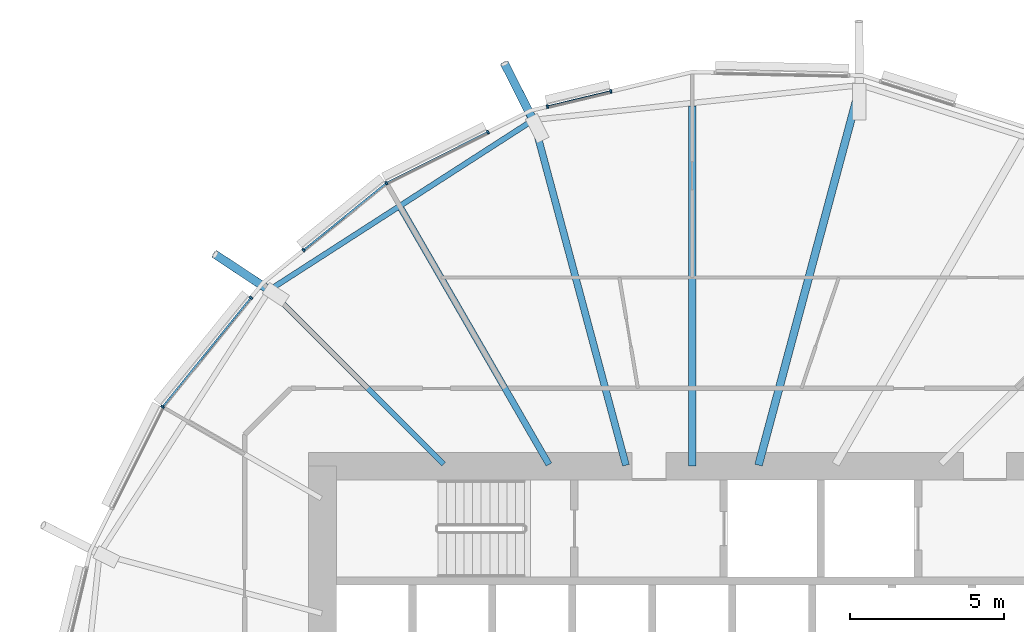
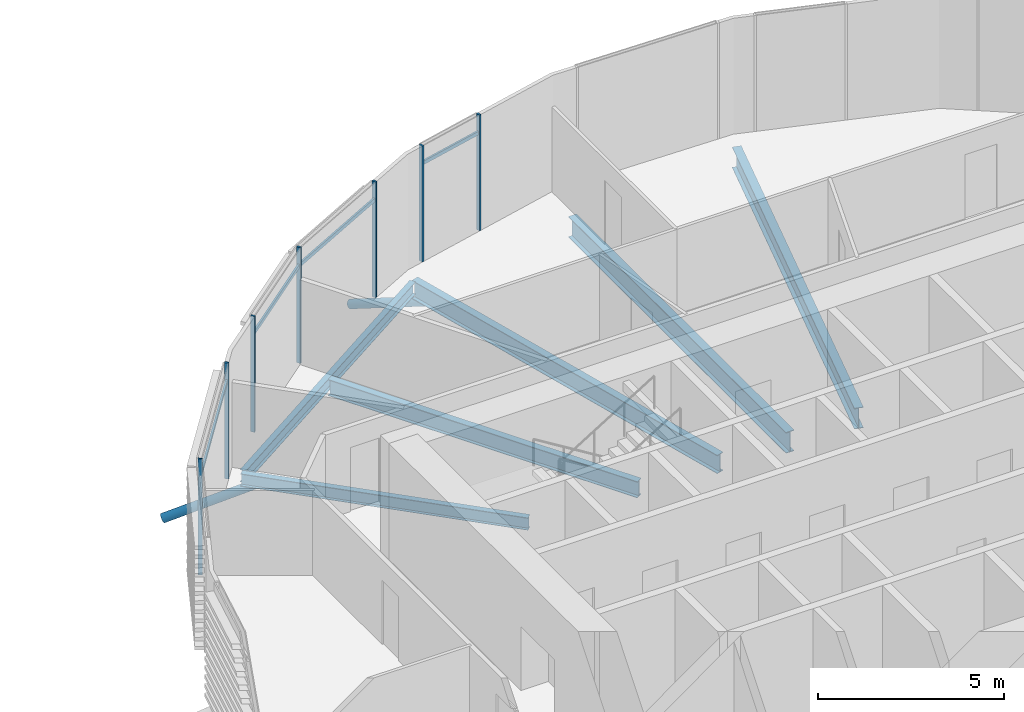
# One storey, part 16 of 36: 13 members, 6 beams, 1 element without a shape of its own.
"""IFC4 building model written with IfcOpenShell, lengths in metres."""

import ifcopenshell
import ifcopenshell.guid

model = None  # the IFC model being written
_history = None  # IfcOwnerHistory: only IFC2X3 demands one
_inside = {}  # id of a spatial element -> (the spatial element, [elements in it])
_under = {}  # id of a project, library or spatial element -> (it, [spatial elements below it])
_declared = {}  # id of a project -> (the project, [libraries it declares])
_typed = {}  # id of a type object -> (the type object, [elements of that type])
_made_of = {}  # id of a material, layer set ... -> (it, [elements and type objects made of it])


def new_model(schema):
    """Start an empty IFC model of exactly this schema.

    Asked for "IFC4X3", IfcOpenShell would pick the latest addendum, in which some entities
    have other attributes; the version numbers below select the first issue.
    IFC2X3 requires an IfcOwnerHistory on every rooted entity: one is made here for all.
    """
    global model, _history
    if schema == "IFC4X3":
        model = ifcopenshell.file(schema_version=(4, 3, 0, 0))
    else:
        model = ifcopenshell.file(schema=schema)
    _inside.clear()
    _under.clear()
    _declared.clear()
    _typed.clear()
    _made_of.clear()
    _history = None
    if model.schema == "IFC2X3":
        org = make("IfcOrganization", Name="unknown")
        user = make(
            "IfcPersonAndOrganization",
            ThePerson=make("IfcPerson", FamilyName="unknown"),
            TheOrganization=org,
        )
        app = make(
            "IfcApplication",
            ApplicationDeveloper=org,
            Version="unknown",
            ApplicationFullName="unknown",
            ApplicationIdentifier="unknown",
        )
        _history = make(
            "IfcOwnerHistory",
            OwningUser=user,
            OwningApplication=app,
            ChangeAction="ADDED",
            CreationDate=0,
        )
    return model


def make(cls, **values):
    """One entity of the class cls with the attributes given. An attribute that is None is left unset."""
    return model.create_entity(
        cls, **{name: value for name, value in values.items() if value is not None}
    )


def rooted(cls, **values):
    """An entity with a GlobalId (a new one), such as an element, a storey or a relation."""
    return make(cls, GlobalId=ifcopenshell.guid.new(), OwnerHistory=_history, **values)


def si_unit(unit_type, name, prefix=None):
    """IfcSIUnit, for example si_unit("LENGTHUNIT", "METRE", prefix="MILLI")."""
    return make("IfcSIUnit", UnitType=unit_type, Prefix=prefix, Name=name)


def assignment(units):
    """IfcUnitAssignment: the units of a project."""
    return None if units is None else make("IfcUnitAssignment", Units=units)


def point(xyz):
    """IfcCartesianPoint."""
    return None if xyz is None else make("IfcCartesianPoint", Coordinates=xyz)


def direction(xyz):
    """IfcDirection."""
    return None if xyz is None else make("IfcDirection", DirectionRatios=xyz)


def frame(location, z_axis=None, x_axis=None):
    """IfcAxis2Placement3D, a coordinate frame: its origin and axes. An axis left out is left unset."""
    return make(
        "IfcAxis2Placement3D",
        Location=point(location),
        Axis=direction(z_axis),
        RefDirection=direction(x_axis),
    )


def frame_2d(location, x_axis=None):
    """IfcAxis2Placement2D, a coordinate frame in the plane: its origin and x axis."""
    return make(
        "IfcAxis2Placement2D", Location=point(location), RefDirection=direction(x_axis)
    )


def origin():
    """The frame at (0, 0, 0) with its axes left unset."""
    return frame((0.0, 0.0, 0.0))


def origin_2d():
    """The frame at (0, 0) in the plane with its x axis left unset."""
    return frame_2d((0.0, 0.0))


def place(relative_to, where):
    """IfcLocalPlacement: puts the frame where relative to a parent placement (None: the world)."""
    return make(
        "IfcLocalPlacement", PlacementRelTo=relative_to, RelativePlacement=where
    )


def context(
    kind, dimensions, precision=None, world=None, true_north=None, identifier=None
):
    """IfcGeometricRepresentationContext, for example the 3D "Model" context."""
    return make(
        "IfcGeometricRepresentationContext",
        ContextIdentifier=identifier,
        ContextType=kind,
        CoordinateSpaceDimension=dimensions,
        Precision=precision,
        WorldCoordinateSystem=world,
        TrueNorth=true_north,
    )


def subcontext(parent, identifier, kind, view, scale=None):
    """IfcGeometricRepresentationSubContext, for example "Body" below "Model"."""
    return make(
        "IfcGeometricRepresentationSubContext",
        ContextIdentifier=identifier,
        ContextType=kind,
        ParentContext=parent,
        TargetScale=scale,
        TargetView=view,
    )


def project(units=None, contexts=None):
    """IfcProject with its units and contexts."""
    return rooted(
        "IfcProject",
        Name="project",
        RepresentationContexts=contexts,
        UnitsInContext=assignment(units),
    )


def spatial(cls, under=None, at=None, **own):
    """A site, building, storey or space (cls), placed at a placement, below another one or the project."""
    s = rooted(cls, ObjectPlacement=at, **own)
    if under is not None:
        _under.setdefault(under.id(), (under, []))[1].append(s)
    return s


def profile(cls, at=None, kind="AREA", **sizes):
    """A parametric profile (cls). Its sizes go by their IFC names, for example OverallWidth=200.0."""
    return make(cls, ProfileType=kind, Position=at, **sizes)


def rectangle(**sizes):
    """IfcRectangleProfileDef."""
    return profile("IfcRectangleProfileDef", **sizes)


def hollow_circle(**sizes):
    """IfcCircleHollowProfileDef."""
    return profile("IfcCircleHollowProfileDef", **sizes)


def i_section(**sizes):
    """IfcIShapeProfileDef."""
    return profile("IfcIShapeProfileDef", **sizes)


def extrude(swept, where, along, depth):
    """IfcExtrudedAreaSolid: the profile swept, set in the frame where, extruded along a direction by depth."""
    return make(
        "IfcExtrudedAreaSolid",
        SweptArea=swept,
        Position=where,
        ExtrudedDirection=direction(along),
        Depth=depth,
    )


def clip(a, b, op="DIFFERENCE"):
    """IfcBooleanClippingResult: the solid a cut by the half space b."""
    return make(
        "IfcBooleanClippingResult", Operator=op, FirstOperand=a, SecondOperand=b
    )


def halfspace(plane, agree):
    """IfcHalfSpaceSolid: all space on one side of the plane z = 0 of the frame plane."""
    return make(
        "IfcHalfSpaceSolid",
        BaseSurface=make("IfcPlane", Position=plane),
        AgreementFlag=agree,
    )


def shape(context_of_items, identifier, shape_type, items):
    """IfcShapeRepresentation: the items that make up one representation, for example the "Body"."""
    return make(
        "IfcShapeRepresentation",
        ContextOfItems=context_of_items,
        RepresentationIdentifier=identifier,
        RepresentationType=shape_type,
        Items=items,
    )


def material(Name=None, Category=None):
    """IfcMaterial."""
    return make("IfcMaterial", Name=Name, Category=Category)


def material_profile(
    of_material, cross_section, Name=None, Category=None, Priority=None
):
    """IfcMaterialProfile: a cross section and its material."""
    return make(
        "IfcMaterialProfile",
        Name=Name,
        Material=of_material,
        Profile=cross_section,
        Priority=Priority,
        Category=Category,
    )


def profile_set(profiles, Name=None, composite=None):
    """IfcMaterialProfileSet."""
    return make(
        "IfcMaterialProfileSet",
        Name=Name,
        MaterialProfiles=profiles,
        CompositeProfile=composite,
    )


def made_of(thing, what):
    """Note that an element or type object is made of a material, layer set ...; save() writes the relation."""
    if what is not None:
        _made_of.setdefault(what.id(), (what, []))[1].append(thing)
    return thing


def type_object(cls, material=None, **own):
    """A type object (cls), such as IfcWallType, which elements share."""
    return made_of(rooted(cls, **own), material)


def element(
    cls,
    number,
    at=None,
    inside=None,
    cuts=None,
    type_object=None,
    material=None,
    context=None,
    identifier="Body",
    shape_type=None,
    held_by="IfcProductDefinitionShape",
    body=None,
    shapes=None,
    **own,
):
    """One element of the class cls, such as IfcWall. Its Tag is "e" and its number.

    at: its placement. inside: the storey or other place that contains it. cuts: it is an
    opening in that element (IfcRelVoidsElement). A single representation is given by context,
    identifier, shape_type and body (its items); several are given by shapes. held_by: the class
    of the entity that holds the representations. save() writes the other relations.
    """
    e = rooted(cls, Tag="e%d" % number, ObjectPlacement=at, **own)
    if body is not None:
        shapes = [shape(context, identifier, shape_type, body)]
    if shapes is not None:
        e.Representation = make(held_by, Representations=shapes)
    if inside is not None:
        _inside.setdefault(inside.id(), (inside, []))[1].append(e)
    if cuts is not None:
        rooted(
            "IfcRelVoidsElement", RelatingBuildingElement=cuts, RelatedOpeningElement=e
        )
    if type_object is not None:
        _typed.setdefault(type_object.id(), (type_object, []))[1].append(e)
    return made_of(e, material)


def aggregate(whole, parts):
    """IfcRelAggregates: a whole, such as a stair, and the parts it consists of."""
    return rooted("IfcRelAggregates", RelatingObject=whole, RelatedObjects=parts)


def save(model, path):
    """Write the relations noted so far, then the file.

    IfcRelAggregates (storeys below a building ...), IfcRelContainedInSpatialStructure (elements
    in a storey), IfcRelDefinesByType, IfcRelAssociatesMaterial and IfcRelDeclares: one each for
    every whole, place, type object, material and project.
    """
    for whole, parts in _under.values():
        aggregate(whole, parts)
    for where, things in _inside.values():
        rooted(
            "IfcRelContainedInSpatialStructure",
            RelatedElements=things,
            RelatingStructure=where,
        )
    for kind, things in _typed.values():
        rooted("IfcRelDefinesByType", RelatedObjects=things, RelatingType=kind)
    for what, things in _made_of.values():
        rooted("IfcRelAssociatesMaterial", RelatedObjects=things, RelatingMaterial=what)
    for by, libraries in _declared.values():
        rooted("IfcRelDeclares", RelatingContext=by, RelatedDefinitions=libraries)
    model.write(path)


model = new_model("IFC4")

# Units and contexts
model_context = context("Model", 3, precision=1e-05, world=origin(), true_north=direction((0.0, 1.0)))
body_context = subcontext(model_context, "Body", "Model", "MODEL_VIEW")
ifc_project = project(units=[si_unit("LENGTHUNIT", "METRE"), si_unit("AREAUNIT", "SQUARE_METRE"), si_unit("VOLUMEUNIT", "CUBIC_METRE"), si_unit("PLANEANGLEUNIT", "RADIAN"), si_unit("MASSUNIT", "GRAM", prefix="KILO")], contexts=[model_context])

# Site, building, storey
site_placement = place(None, origin())
site = spatial("IfcSite", under=ifc_project, at=site_placement, CompositionType="ELEMENT")
building_placement = place(site_placement, origin())
building = spatial("IfcBuilding", under=site, at=building_placement, Name="Rimbun Link Towers", CompositionType="ELEMENT")
storey_placement = place(building_placement, frame((0.0, 0.0, 33.800048828125)))
storey = spatial("IfcBuildingStorey", under=building, at=storey_placement, Name="L07", CompositionType="ELEMENT", Elevation=33.800048828125)

# Curtain wall, members
ifc_material_1 = material(Name="Aluminium 6063-T6 and low-iron glass", Category="aluminium")
curtain_wall_type = type_object("IfcCurtainWallType", Name="CW1 unitised vision wall", PredefinedType="NOTDEFINED", material=ifc_material_1)
curtain_wall_placement = place(storey_placement, origin())
curtain_wall = element("IfcCurtainWall", 1, at=curtain_wall_placement, inside=storey, type_object=curtain_wall_type, Name="CW1 L07 T2", PredefinedType="NOTDEFINED")
ifc_material_2 = material(Name="Aluminium 6063-T6", Category="aluminium")
ifc_material_profile_1 = material_profile(ifc_material_2, rectangle(XDim=0.1201171875, YDim=0.06005859375, at=origin_2d()), Name="MULLION 60X120")
ifc_profile_set_1 = profile_set([ifc_material_profile_1], Name="Aluminium 6063-T6")
member_type_1 = type_object("IfcMemberType", Name="CW1 mullion 60X120", PredefinedType="MULLION", material=ifc_profile_set_1)
member_1_placement = place(storey_placement, frame((27.050048828125, 19.671142578125, 0.0), z_axis=(0.0, 0.0, 1.0), x_axis=(-0.23261266824, 0.972569455913, 0.0)))
member_1 = element("IfcMember", 2, at=member_1_placement, type_object=member_type_1, Name="CW1 mullion", PredefinedType="MULLION", context=body_context, shape_type="SweptSolid", body=[
    extrude(rectangle(XDim=0.1201171875, YDim=0.06005859375, at=origin_2d()), origin(), (0.0, 0.0, 1.0), 3.800048828125),
])
member_2_placement = place(storey_placement, frame((29.110107421875, 20.163818359375, 0.0), z_axis=(0.0, 0.0, 1.0), x_axis=(-0.23261266824, 0.972569455913, 0.0)))
member_2 = element("IfcMember", 3, at=member_2_placement, type_object=member_type_1, Name="CW1 mullion", PredefinedType="MULLION", context=body_context, shape_type="SweptSolid", body=[
    extrude(rectangle(XDim=0.1201171875, YDim=0.06005859375, at=origin_2d()), origin(), (0.0, 0.0, 1.0), 3.800048828125),
])
member_3_placement = place(storey_placement, frame((21.822998046875, 17.188232421875, 0.0), z_axis=(0.0, 0.0, 1.0), x_axis=(-0.542093221733, 0.840318355715, 0.0)))
member_3 = element("IfcMember", 4, at=member_3_placement, type_object=member_type_1, Name="CW1 mullion", PredefinedType="MULLION", context=body_context, shape_type="SweptSolid", body=[
    extrude(rectangle(XDim=0.1201171875, YDim=0.06005859375, at=origin_2d()), origin(), (0.0, 0.0, 1.0), 3.800048828125),
])
member_4_placement = place(storey_placement, frame((25.116943359375, 18.8427734375, 0.0), z_axis=(0.0, 0.0, 1.0), x_axis=(-0.448773200217, 0.893645687489, 0.0)))
member_4 = element("IfcMember", 5, at=member_4_placement, type_object=member_type_1, Name="CW1 mullion", PredefinedType="MULLION", context=body_context, shape_type="SweptSolid", body=[
    extrude(rectangle(XDim=0.1201171875, YDim=0.06005859375, at=origin_2d()), origin(), (0.0, 0.0, 1.0), 3.800048828125),
])
member_5_placement = place(storey_placement, frame((19.135986328125, 15.013671875, 0.0), z_axis=(0.0, 0.0, 1.0), x_axis=(-0.629150748856, 0.777283304345, 0.0)))
member_5 = element("IfcMember", 6, at=member_5_placement, type_object=member_type_1, Name="CW1 mullion", PredefinedType="MULLION", context=body_context, shape_type="SweptSolid", body=[
    extrude(rectangle(XDim=0.1201171875, YDim=0.06005859375, at=origin_2d()), origin(), (0.0, 0.0, 1.0), 3.800048828125),
])
member_6_placement = place(storey_placement, frame((14.561767578125, 9.927001953125, 0.0), z_axis=(0.0, 0.0, 1.0), x_axis=(-0.840318355715, 0.542093221733, 0.0)))
member_6 = element("IfcMember", 7, at=member_6_placement, type_object=member_type_1, Name="CW1 mullion", PredefinedType="MULLION", context=body_context, shape_type="SweptSolid", body=[
    extrude(rectangle(XDim=0.1201171875, YDim=0.06005859375, at=origin_2d()), origin(), (0.0, 0.0, 1.0), 3.800048828125),
])
member_7_placement = place(storey_placement, frame((17.42822265625, 13.468994140625, 0.0), z_axis=(0.0, 0.0, 1.0), x_axis=(-0.777283304345, 0.629150748856, 0.0)))
member_7 = element("IfcMember", 8, at=member_7_placement, type_object=member_type_1, Name="CW1 mullion", PredefinedType="MULLION", context=body_context, shape_type="SweptSolid", body=[
    extrude(rectangle(XDim=0.1201171875, YDim=0.06005859375, at=origin_2d()), origin(), (0.0, 0.0, 1.0), 3.800048828125),
])
ifc_material_3 = material(Name="Aluminium 6063-T6", Category="aluminium")
ifc_material_profile_2 = material_profile(ifc_material_3, rectangle(XDim=0.06005859375, YDim=0.1201171875, at=origin_2d()), Name="TRANSOM 60X120")
ifc_profile_set_2 = profile_set([ifc_material_profile_2], Name="Aluminium 6063-T6")
member_type_2 = type_object("IfcMemberType", Name="CW1 transom 60X120", PredefinedType="USERDEFINED", material=ifc_profile_set_2)
member_8_placement = place(storey_placement, frame((27.07958984375, 19.676025390625, 3.199951171875), z_axis=(0.972568974802, 0.232614679789, 0.0), x_axis=(-0.232614679789, 0.972568974802, 0.0)))
member_8 = element("IfcMember", 9, at=member_8_placement, type_object=member_type_2, Name="CW1 transom", ObjectType="TRANSOM", PredefinedType="USERDEFINED", context=body_context, shape_type="SweptSolid", body=[
    extrude(rectangle(XDim=0.06005859375, YDim=0.1201171875, at=origin_2d()), origin(), (0.0, 0.0, 1.0), 2.05810546875),
])
member_9_placement = place(storey_placement, frame((21.856201171875, 17.203125, 3.199951171875), z_axis=(0.893643462772, 0.448777630286, 0.0), x_axis=(-0.448777630286, 0.893643462772, 0.0)))
member_9 = element("IfcMember", 10, at=member_9_placement, type_object=member_type_2, Name="CW1 transom", ObjectType="TRANSOM", PredefinedType="USERDEFINED", context=body_context, shape_type="SweptSolid", body=[
    extrude(rectangle(XDim=0.06005859375, YDim=0.1201171875, at=origin_2d()), origin(), (0.0, 0.0, 1.0), 3.619873046875),
])
member_10_placement = place(storey_placement, frame((19.16064453125, 15.031005859375, 3.199951171875), z_axis=(0.777251578855, 0.629189942042, 0.0), x_axis=(-0.629189942042, 0.777251578855, 0.0)))
member_10 = element("IfcMember", 11, at=member_10_placement, type_object=member_type_2, Name="CW1 transom", ObjectType="TRANSOM", PredefinedType="USERDEFINED", context=body_context, shape_type="SweptSolid", body=[
    extrude(rectangle(XDim=0.06005859375, YDim=0.1201171875, at=origin_2d()), origin(), (0.0, 0.0, 1.0), 3.39013671875),
])
member_11_placement = place(storey_placement, frame((14.5859375, 9.954345703125, 3.199951171875), z_axis=(0.62916068758, 0.777275259611, 0.0), x_axis=(-0.777275259611, 0.62916068758, 0.0)))
member_11 = element("IfcMember", 12, at=member_11_placement, type_object=member_type_2, Name="CW1 transom", ObjectType="TRANSOM", PredefinedType="USERDEFINED", context=body_context, shape_type="SweptSolid", body=[
    extrude(rectangle(XDim=0.06005859375, YDim=0.1201171875, at=origin_2d()), origin(), (0.0, 0.0, 1.0), 4.489990234375),
])
aggregate(curtain_wall, [member_1, member_2, member_3, member_4, member_5, member_6, member_7, member_8, member_9, member_10, member_11])

# Members
ifc_material_4 = material(Name="Steel S355J2H", Category="steel")
ifc_material_profile_3 = material_profile(ifc_material_4, hollow_circle(Radius=0.136474609375, WallThickness=0.012451171875, at=origin_2d()), Name="CHS 273x12.5")
ifc_profile_set_3 = profile_set([ifc_material_profile_3], Name="Steel S355J2H")
member_type_3 = type_object("IfcMemberType", Name="Floor edge link CHS 273x12.5", PredefinedType="BRACE", material=ifc_profile_set_3)
member_12_placement = place(storey_placement, frame((26.608154296875, 19.18994140625, -0.88818359375), z_axis=(-0.415483796079, 0.822653652679, -0.388090431382), x_axis=(-0.892615713628, -0.450818353424, 0.0)))
element("IfcMember", 13, at=member_12_placement, inside=storey, type_object=member_type_3, Name="Floor edge link T2 L07 04", PredefinedType="BRACE", context=body_context, shape_type="Clipping", body=[
    clip(extrude(hollow_circle(Radius=0.136474609375, WallThickness=0.012451171875, at=origin_2d()), frame((0.0, 0.0, -0.67431640625)), (0.0, 0.0, 1.0), 2.964599609375), halfspace(frame((0.0, 0.0, -0.318359375), z_axis=(0.0, 0.921621298078, -0.388090431382)), False)),
])
member_13_placement = place(storey_placement, frame((18.0654296875, 13.6845703125, -0.6884765625), z_axis=(-0.748795823592, 0.494203218977, -0.441665023433), x_axis=(-0.55084063643, -0.834610444014, 0.0)))
element("IfcMember", 14, at=member_13_placement, inside=storey, type_object=member_type_3, Name="Floor edge link T2 L07 06", PredefinedType="BRACE", context=body_context, shape_type="Clipping", body=[
    clip(extrude(hollow_circle(Radius=0.136474609375, WallThickness=0.012451171875, at=origin_2d()), frame((0.0, 0.0, -0.577392578125)), (0.0, 0.0, 1.0), 2.9892578125), halfspace(frame((0.0, 0.0, -0.271728515625), z_axis=(0.0, 0.897180030471, -0.441665023433)), False)),
])

# Beams
ifc_material_5 = material(Name="Steel S355J2", Category="steel")
ifc_material_profile_4 = material_profile(ifc_material_5, i_section(OverallWidth=0.177978515625, OverallDepth=0.406494140625, WebThickness=0.0078125, FlangeThickness=0.0126953125, at=origin_2d()), Name="UB 406x178x60")
ifc_profile_set_4 = profile_set([ifc_material_profile_4], Name="Steel S355J2")
beam_type_1 = type_object("IfcBeamType", Name="UB 406x178x60", PredefinedType="BEAM", material=ifc_profile_set_4)
beam_1_placement = place(storey_placement, frame((23.686279296875, 8.063720703125, -0.36328125), z_axis=(-0.707106781187, 0.707106781187, 0.0), x_axis=(-0.707106781187, -0.707106781187, 0.0)))
element("IfcBeam", 15, at=beam_1_placement, inside=storey, type_object=beam_type_1, Name="Radial beam T2 L07 06", PredefinedType="BEAM", context=body_context, shape_type="SweptSolid", body=[
    extrude(i_section(OverallWidth=0.177978515625, OverallDepth=0.406494140625, WebThickness=0.0078125, FlangeThickness=0.0126953125, at=origin_2d()), origin(), (0.0, 0.0, 1.0), 7.998779296875),
])
beam_2_placement = place(storey_placement, frame((26.493896484375, 19.1728515625, -0.36328125), z_axis=(-0.840641353298, -0.541592203716, 0.0), x_axis=(0.541592203716, -0.840641353298, 0.0)))
element("IfcBeam", 16, at=beam_2_placement, inside=storey, type_object=beam_type_1, Name="Edge beam T2 L07 04-06", PredefinedType="BEAM", context=body_context, shape_type="SweptSolid", body=[
    extrude(i_section(OverallWidth=0.177978515625, OverallDepth=0.406494140625, WebThickness=0.0078125, FlangeThickness=0.0126953125, at=origin_2d()), origin(), (0.0, 0.0, 1.0), 9.976318359375),
])
ifc_material_6 = material(Name="Steel S355J2", Category="steel")
ifc_material_profile_5 = material_profile(ifc_material_6, i_section(OverallWidth=0.209228515625, OverallDepth=0.533203125, WebThickness=0.010009765625, FlangeThickness=0.015625, at=origin_2d()), Name="UB 533x210x92")
ifc_profile_set_5 = profile_set([ifc_material_profile_5], Name="Steel S355J2")
beam_type_2 = type_object("IfcBeamType", Name="UB 533x210x92", PredefinedType="BEAM", material=ifc_profile_set_5)
beam_3_placement = place(storey_placement, frame((27.1005859375, 8.05322265625, -0.4267578125), z_axis=(-0.500002100233, 0.866024191211, 0.0), x_axis=(-0.866024191211, -0.500002100233, 0.0)))
element("IfcBeam", 17, at=beam_3_placement, inside=storey, type_object=beam_type_2, Name="Radial beam T2 L07 05", PredefinedType="BEAM", context=body_context, shape_type="SweptSolid", body=[
    extrude(i_section(OverallWidth=0.209228515625, OverallDepth=0.533203125, WebThickness=0.010009765625, FlangeThickness=0.015625, at=origin_2d()), origin(), (0.0, 0.0, 1.0), 9.59765625),
])
ifc_material_7 = material(Name="Steel S355J2", Category="steel")
ifc_material_profile_6 = material_profile(ifc_material_7, i_section(OverallWidth=0.2275390625, OverallDepth=0.6025390625, WebThickness=0.010498046875, FlangeThickness=0.014892578125, at=origin_2d()), Name="UB 610x229x101")
ifc_profile_set_6 = profile_set([ifc_material_profile_6], Name="Steel S355J2")
beam_type_3 = type_object("IfcBeamType", Name="UB 610x229x101", PredefinedType="BEAM", material=ifc_profile_set_6)
beam_4_placement = place(storey_placement, frame((29.598388671875, 8.030517578125, -0.46142578125), z_axis=(-0.258824079049, 0.965924477433, 0.0), x_axis=(-0.965924477433, -0.258824079049, 0.0)))
element("IfcBeam", 18, at=beam_4_placement, inside=storey, type_object=beam_type_3, Name="Radial beam T2 L07 04", PredefinedType="BEAM", context=body_context, shape_type="SweptSolid", body=[
    extrude(i_section(OverallWidth=0.2275390625, OverallDepth=0.6025390625, WebThickness=0.010498046875, FlangeThickness=0.014892578125, at=origin_2d()), origin(), (0.0, 0.0, 1.0), 11.60302734375),
])
ifc_material_8 = material(Name="Steel S355J2", Category="steel")
ifc_material_profile_7 = material_profile(ifc_material_8, i_section(OverallWidth=0.253662109375, OverallDepth=0.68359375, WebThickness=0.012451171875, FlangeThickness=0.01904296875, at=origin_2d()), Name="UB 686x254x140")
ifc_profile_set_7 = profile_set([ifc_material_profile_7], Name="Steel S355J2")
beam_type_4 = type_object("IfcBeamType", Name="UB 686x254x140", PredefinedType="BEAM", material=ifc_profile_set_7)
beam_5_placement = place(storey_placement, frame((33.902587890625, 8.03369140625, -0.501708984375), z_axis=(0.258815324006, 0.965926823346, 0.0), x_axis=(-0.965926823346, 0.258815324006, 0.0)))
element("IfcBeam", 19, at=beam_5_placement, inside=storey, type_object=beam_type_4, Name="Radial beam T2 L07 02", PredefinedType="BEAM", context=body_context, shape_type="SweptSolid", body=[
    extrude(i_section(OverallWidth=0.253662109375, OverallDepth=0.68359375, WebThickness=0.012451171875, FlangeThickness=0.01904296875, at=origin_2d()), origin(), (0.0, 0.0, 1.0), 12.679931640625),
])
beam_6_placement = place(storey_placement, frame((31.75, 8.0009765625, -0.501708984375), z_axis=(0.0, 1.0, 0.0), x_axis=(-1.0, 0.0, 0.0)))
element("IfcBeam", 20, at=beam_6_placement, inside=storey, type_object=beam_type_4, Name="Radial beam T2 L07 03", PredefinedType="BEAM", context=body_context, shape_type="SweptSolid", body=[
    extrude(i_section(OverallWidth=0.253662109375, OverallDepth=0.68359375, WebThickness=0.012451171875, FlangeThickness=0.01904296875, at=origin_2d()), origin(), (0.0, 0.0, 1.0), 11.69580078125),
])

save(model, "model.ifc")
